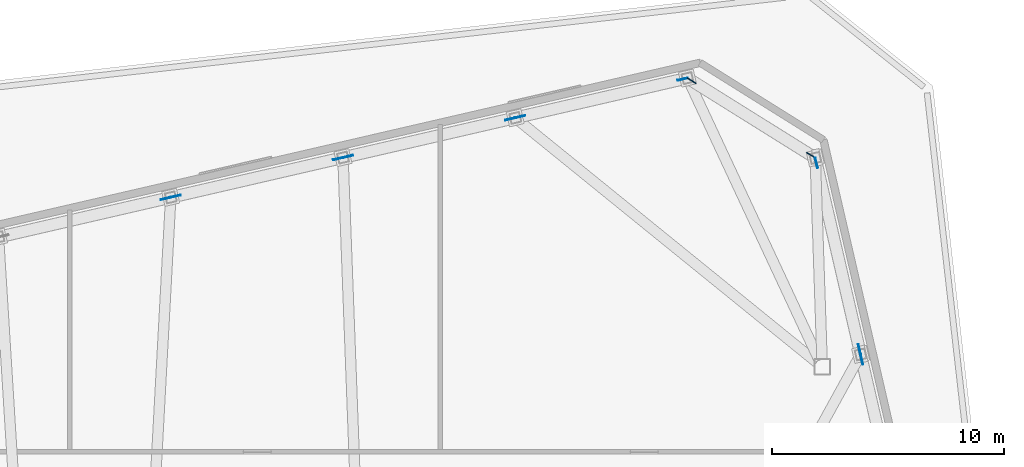
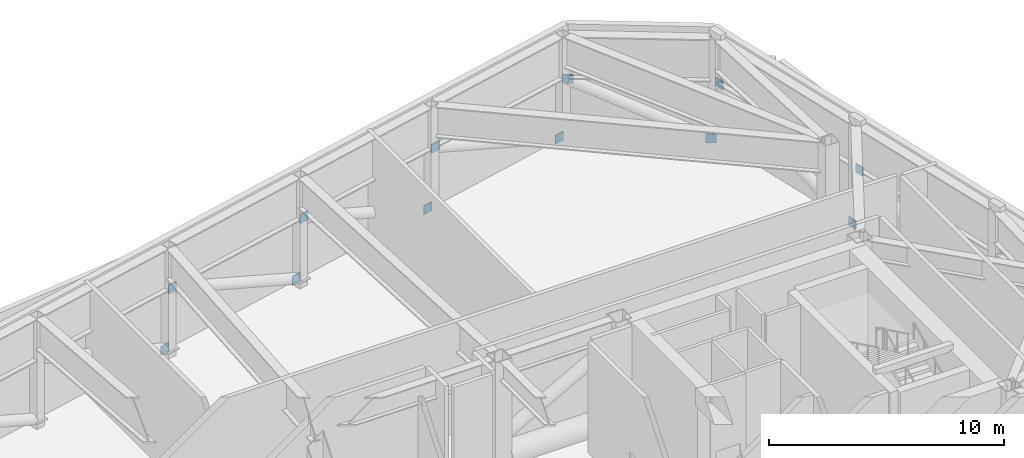
# One storey, part 13 of 15: 12 discrete accessories.
"""IFC4 building model written with IfcOpenShell, lengths in metres."""

from ifc_helpers import new_model, si_unit, direction, frame, origin, origin_2d, place, context, subcontext, project, spatial, rectangle, extrude, material, type_object, element, save


model = new_model("IFC4")

# Units and contexts
model_context = context("Model", 3, precision=1e-05, world=origin(), true_north=direction((0.0, 1.0)))
body_context = subcontext(model_context, "Body", "Model", "MODEL_VIEW")
ifc_project = project(units=[si_unit("LENGTHUNIT", "METRE"), si_unit("AREAUNIT", "SQUARE_METRE"), si_unit("VOLUMEUNIT", "CUBIC_METRE"), si_unit("PLANEANGLEUNIT", "RADIAN"), si_unit("MASSUNIT", "GRAM", prefix="KILO")], contexts=[model_context])

# Site, building, storey
site_placement = place(None, origin())
site = spatial("IfcSite", under=ifc_project, at=site_placement, CompositionType="ELEMENT")
building_placement = place(site_placement, origin())
building = spatial("IfcBuilding", under=site, at=building_placement, Name="Tavrogorsk Clinical Tower", CompositionType="ELEMENT")
storey_placement = place(building_placement, frame((0.0, 0.0, 271.0)))
storey = spatial("IfcBuildingStorey", under=building, at=storey_placement, Name="L63", CompositionType="ELEMENT", Elevation=271.0)

# Discrete accessories
ifc_material = material(Name="Structural steel S440", Category="steel")
discrete_accessory_type = type_object("IfcDiscreteAccessoryType", Name="GussetPlateBracket_25", PredefinedType="BRACKET", material=ifc_material)
for number, where, z_axis, x_axis, name in (
    (1, (26.207275390625, 13.5185546875, 3.180908203125), (0.0, 0.0, 1.0), (-0.224951054344, 0.974370064785, 0.0), "L63 Brace Gusset Plate EXOBELT-L63-11-B"),
    (2, (26.108642578125, 13.94580078125, 0.198974609375), (0.0, 0.0, 1.0), (-0.224951054344, 0.974370064785, 0.0), "L63 Brace Gusset Plate EXOBELT-L63-12-A"),
    (3, (24.247802734375, 22.00537109375, 3.180908203125), (0.0, 0.0, 1.0), (-0.224951054344, 0.974370064785, 0.0), "L63 Brace Gusset Plate EXOBELT-L63-12-B"),
    (4, (24.020751953125, 22.330078125, 0.22119140625), (0.0, 0.0, 1.0), (-0.848048096156, 0.529919264233, 0.0), "L63 Brace Gusset Plate EXOBELT-L63-13-A"),
    (5, (18.859619140625, 25.55517578125, 3.15869140625), (0.0, 0.0, 1.0), (-0.848048096156, 0.529919264233, 0.0), "L63 Brace Gusset Plate EXOBELT-L63-13-B"),
    (6, (18.4716796875, 25.617919921875, 0.208740234375), (0.0, 0.0, 1.0), (-0.974370064785, -0.224951054344, 0.0), "L63 Brace Gusset Plate EXOBELT-L63-14-A"),
    (7, (11.453125, 23.99755859375, 3.17138671875), (0.0, 0.0, 1.0), (-0.974370064785, -0.224951054344, 0.0), "L63 Brace Gusset Plate EXOBELT-L63-14-B"),
    (8, (11.033203125, 23.900634765625, 0.208740234375), (0.0, 0.0, 1.0), (-0.974370064785, -0.224951054344, 0.0), "L63 Brace Gusset Plate EXOBELT-L63-15-A"),
    (9, (4.014404296875, 22.280029296875, 3.17138671875), (0.0, 0.0, 1.0), (-0.974370064785, -0.224951054344, 0.0), "L63 Brace Gusset Plate EXOBELT-L63-15-B"),
    (10, (3.594482421875, 22.18310546875, 0.208740234375), (0.0, 0.0, 1.0), (-0.974370064785, -0.224951054344, 0.0), "L63 Brace Gusset Plate EXOBELT-L63-16-A"),
    (11, (-3.42431640625, 20.562744140625, 3.17138671875), (0.0, 0.0, 1.0), (-0.974370064785, -0.224951054344, 0.0), "L63 Brace Gusset Plate EXOBELT-L63-16-B"),
    (12, (-3.84423828125, 20.4658203125, 0.208740234375), (0.0, 0.0, 1.0), (-0.974370064785, -0.224951054344, 0.0), "L63 Brace Gusset Plate EXOBELT-L63-17-A"),
):
    element("IfcDiscreteAccessory", number, at=place(storey_placement, frame(where, z_axis=z_axis, x_axis=x_axis)), inside=storey, type_object=discrete_accessory_type, Name=name, PredefinedType="BRACKET", context=body_context, shape_type="SweptSolid", body=[
        extrude(rectangle(XDim=0.4599609375, YDim=0.0400390625, at=origin_2d()), origin(), (0.0, 0.0, 1.0), 0.4599609375),
    ])

save(model, "model.ifc")
